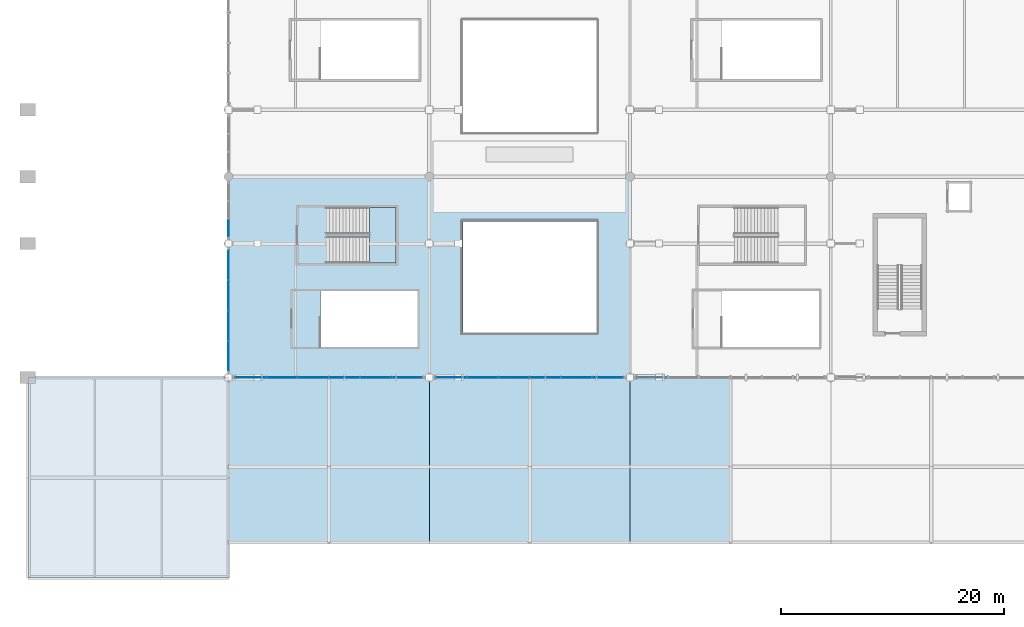
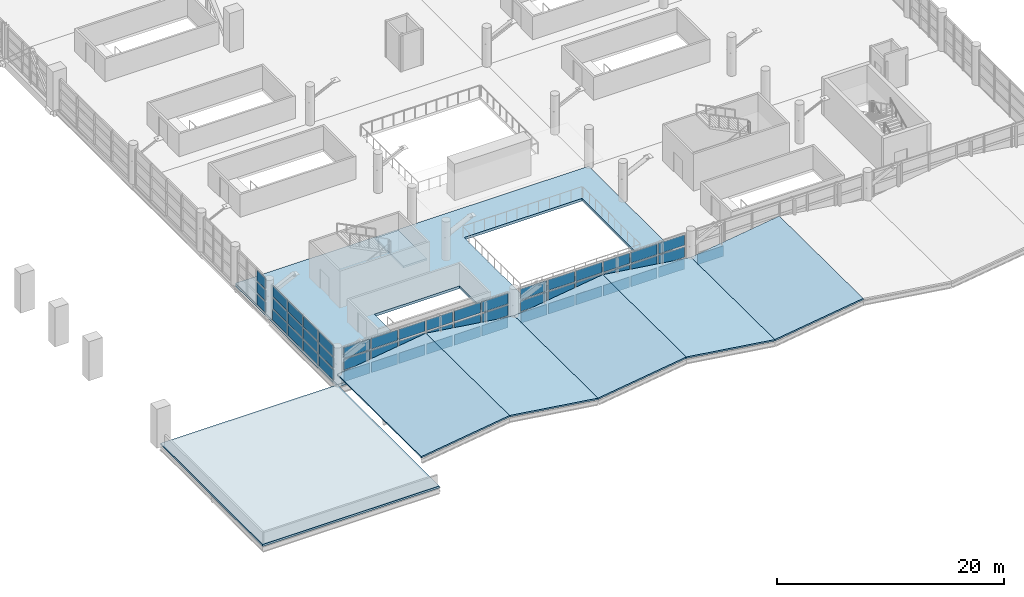
# One storey, part 97 of 136: 52 plates, 8 slabs, 6 elements without a shape of their own.
"""IFC4 building model written with IfcOpenShell, lengths in metres."""

import ifcopenshell
import ifcopenshell.guid

model = None  # the IFC model being written
_history = None  # IfcOwnerHistory: only IFC2X3 demands one
_inside = {}  # id of a spatial element -> (the spatial element, [elements in it])
_under = {}  # id of a project, library or spatial element -> (it, [spatial elements below it])
_declared = {}  # id of a project -> (the project, [libraries it declares])
_typed = {}  # id of a type object -> (the type object, [elements of that type])
_made_of = {}  # id of a material, layer set ... -> (it, [elements and type objects made of it])


def new_model(schema):
    """Start an empty IFC model of exactly this schema.

    Asked for "IFC4X3", IfcOpenShell would pick the latest addendum, in which some entities
    have other attributes; the version numbers below select the first issue.
    IFC2X3 requires an IfcOwnerHistory on every rooted entity: one is made here for all.
    """
    global model, _history
    if schema == "IFC4X3":
        model = ifcopenshell.file(schema_version=(4, 3, 0, 0))
    else:
        model = ifcopenshell.file(schema=schema)
    _inside.clear()
    _under.clear()
    _declared.clear()
    _typed.clear()
    _made_of.clear()
    _history = None
    if model.schema == "IFC2X3":
        org = make("IfcOrganization", Name="unknown")
        user = make(
            "IfcPersonAndOrganization",
            ThePerson=make("IfcPerson", FamilyName="unknown"),
            TheOrganization=org,
        )
        app = make(
            "IfcApplication",
            ApplicationDeveloper=org,
            Version="unknown",
            ApplicationFullName="unknown",
            ApplicationIdentifier="unknown",
        )
        _history = make(
            "IfcOwnerHistory",
            OwningUser=user,
            OwningApplication=app,
            ChangeAction="ADDED",
            CreationDate=0,
        )
    return model


def make(cls, **values):
    """One entity of the class cls with the attributes given. An attribute that is None is left unset."""
    return model.create_entity(
        cls, **{name: value for name, value in values.items() if value is not None}
    )


def rooted(cls, **values):
    """An entity with a GlobalId (a new one), such as an element, a storey or a relation."""
    return make(cls, GlobalId=ifcopenshell.guid.new(), OwnerHistory=_history, **values)


def si_unit(unit_type, name, prefix=None):
    """IfcSIUnit, for example si_unit("LENGTHUNIT", "METRE", prefix="MILLI")."""
    return make("IfcSIUnit", UnitType=unit_type, Prefix=prefix, Name=name)


def assignment(units):
    """IfcUnitAssignment: the units of a project."""
    return None if units is None else make("IfcUnitAssignment", Units=units)


def point(xyz):
    """IfcCartesianPoint."""
    return None if xyz is None else make("IfcCartesianPoint", Coordinates=xyz)


def direction(xyz):
    """IfcDirection."""
    return None if xyz is None else make("IfcDirection", DirectionRatios=xyz)


def frame(location, z_axis=None, x_axis=None):
    """IfcAxis2Placement3D, a coordinate frame: its origin and axes. An axis left out is left unset."""
    return make(
        "IfcAxis2Placement3D",
        Location=point(location),
        Axis=direction(z_axis),
        RefDirection=direction(x_axis),
    )


def frame_2d(location, x_axis=None):
    """IfcAxis2Placement2D, a coordinate frame in the plane: its origin and x axis."""
    return make(
        "IfcAxis2Placement2D", Location=point(location), RefDirection=direction(x_axis)
    )


def origin():
    """The frame at (0, 0, 0) with its axes left unset."""
    return frame((0.0, 0.0, 0.0))


def origin_2d():
    """The frame at (0, 0) in the plane with its x axis left unset."""
    return frame_2d((0.0, 0.0))


def place(relative_to, where):
    """IfcLocalPlacement: puts the frame where relative to a parent placement (None: the world)."""
    return make(
        "IfcLocalPlacement", PlacementRelTo=relative_to, RelativePlacement=where
    )


def context(
    kind, dimensions, precision=None, world=None, true_north=None, identifier=None
):
    """IfcGeometricRepresentationContext, for example the 3D "Model" context."""
    return make(
        "IfcGeometricRepresentationContext",
        ContextIdentifier=identifier,
        ContextType=kind,
        CoordinateSpaceDimension=dimensions,
        Precision=precision,
        WorldCoordinateSystem=world,
        TrueNorth=true_north,
    )


def subcontext(parent, identifier, kind, view, scale=None):
    """IfcGeometricRepresentationSubContext, for example "Body" below "Model"."""
    return make(
        "IfcGeometricRepresentationSubContext",
        ContextIdentifier=identifier,
        ContextType=kind,
        ParentContext=parent,
        TargetScale=scale,
        TargetView=view,
    )


def project(units=None, contexts=None):
    """IfcProject with its units and contexts."""
    return rooted(
        "IfcProject",
        Name="project",
        RepresentationContexts=contexts,
        UnitsInContext=assignment(units),
    )


def spatial(cls, under=None, at=None, **own):
    """A site, building, storey or space (cls), placed at a placement, below another one or the project."""
    s = rooted(cls, ObjectPlacement=at, **own)
    if under is not None:
        _under.setdefault(under.id(), (under, []))[1].append(s)
    return s


def polyline(points):
    """IfcPolyline through the points."""
    return make("IfcPolyline", Points=[point(p) for p in points])


def profile(cls, at=None, kind="AREA", **sizes):
    """A parametric profile (cls). Its sizes go by their IFC names, for example OverallWidth=200.0."""
    return make(cls, ProfileType=kind, Position=at, **sizes)


def rectangle(**sizes):
    """IfcRectangleProfileDef."""
    return profile("IfcRectangleProfileDef", **sizes)


def outline(outer, holes=None, kind="AREA"):
    """IfcArbitraryClosedProfileDef: a profile drawn as a closed curve; with holes, ...WithVoids."""
    if holes is None:
        return make("IfcArbitraryClosedProfileDef", ProfileType=kind, OuterCurve=outer)
    return make(
        "IfcArbitraryProfileDefWithVoids",
        ProfileType=kind,
        OuterCurve=outer,
        InnerCurves=holes,
    )


def extrude(swept, where, along, depth):
    """IfcExtrudedAreaSolid: the profile swept, set in the frame where, extruded along a direction by depth."""
    return make(
        "IfcExtrudedAreaSolid",
        SweptArea=swept,
        Position=where,
        ExtrudedDirection=direction(along),
        Depth=depth,
    )


def shape(context_of_items, identifier, shape_type, items):
    """IfcShapeRepresentation: the items that make up one representation, for example the "Body"."""
    return make(
        "IfcShapeRepresentation",
        ContextOfItems=context_of_items,
        RepresentationIdentifier=identifier,
        RepresentationType=shape_type,
        Items=items,
    )


def material(Name=None, Category=None):
    """IfcMaterial."""
    return make("IfcMaterial", Name=Name, Category=Category)


def layer(
    of_material, thickness, ventilated=None, Name=None, Category=None, Priority=None
):
    """IfcMaterialLayer: one layer of a wall or slab, of a material (None: an air gap)."""
    return make(
        "IfcMaterialLayer",
        Material=of_material,
        LayerThickness=thickness,
        IsVentilated=ventilated,
        Name=Name,
        Category=Category,
        Priority=Priority,
    )


def layer_set(layers, Name=None):
    """IfcMaterialLayerSet."""
    return make("IfcMaterialLayerSet", MaterialLayers=layers, LayerSetName=Name)


def made_of(thing, what):
    """Note that an element or type object is made of a material, layer set ...; save() writes the relation."""
    if what is not None:
        _made_of.setdefault(what.id(), (what, []))[1].append(thing)
    return thing


def type_object(cls, material=None, **own):
    """A type object (cls), such as IfcWallType, which elements share."""
    return made_of(rooted(cls, **own), material)


def element(
    cls,
    number,
    at=None,
    inside=None,
    cuts=None,
    type_object=None,
    material=None,
    context=None,
    identifier="Body",
    shape_type=None,
    held_by="IfcProductDefinitionShape",
    body=None,
    shapes=None,
    **own,
):
    """One element of the class cls, such as IfcWall. Its Tag is "e" and its number.

    at: its placement. inside: the storey or other place that contains it. cuts: it is an
    opening in that element (IfcRelVoidsElement). A single representation is given by context,
    identifier, shape_type and body (its items); several are given by shapes. held_by: the class
    of the entity that holds the representations. save() writes the other relations.
    """
    e = rooted(cls, Tag="e%d" % number, ObjectPlacement=at, **own)
    if body is not None:
        shapes = [shape(context, identifier, shape_type, body)]
    if shapes is not None:
        e.Representation = make(held_by, Representations=shapes)
    if inside is not None:
        _inside.setdefault(inside.id(), (inside, []))[1].append(e)
    if cuts is not None:
        rooted(
            "IfcRelVoidsElement", RelatingBuildingElement=cuts, RelatedOpeningElement=e
        )
    if type_object is not None:
        _typed.setdefault(type_object.id(), (type_object, []))[1].append(e)
    return made_of(e, material)


def aggregate(whole, parts):
    """IfcRelAggregates: a whole, such as a stair, and the parts it consists of."""
    return rooted("IfcRelAggregates", RelatingObject=whole, RelatedObjects=parts)


def save(model, path):
    """Write the relations noted so far, then the file.

    IfcRelAggregates (storeys below a building ...), IfcRelContainedInSpatialStructure (elements
    in a storey), IfcRelDefinesByType, IfcRelAssociatesMaterial and IfcRelDeclares: one each for
    every whole, place, type object, material and project.
    """
    for whole, parts in _under.values():
        aggregate(whole, parts)
    for where, things in _inside.values():
        rooted(
            "IfcRelContainedInSpatialStructure",
            RelatedElements=things,
            RelatingStructure=where,
        )
    for kind, things in _typed.values():
        rooted("IfcRelDefinesByType", RelatedObjects=things, RelatingType=kind)
    for what, things in _made_of.values():
        rooted("IfcRelAssociatesMaterial", RelatedObjects=things, RelatingMaterial=what)
    for by, libraries in _declared.values():
        rooted("IfcRelDeclares", RelatingContext=by, RelatedDefinitions=libraries)
    model.write(path)


model = new_model("IFC4")

# Units and contexts
model_context = context("Model", 3, precision=1e-05, world=origin(), true_north=direction((0.0, 1.0)))
body_context = subcontext(model_context, "Body", "Model", "MODEL_VIEW")
ifc_project = project(units=[si_unit("LENGTHUNIT", "METRE"), si_unit("AREAUNIT", "SQUARE_METRE"), si_unit("VOLUMEUNIT", "CUBIC_METRE"), si_unit("PLANEANGLEUNIT", "RADIAN"), si_unit("MASSUNIT", "GRAM", prefix="KILO")], contexts=[model_context])

# Site, building, storey
site_placement = place(None, origin())
site = spatial("IfcSite", under=ifc_project, at=site_placement, CompositionType="ELEMENT")
building_placement = place(site_placement, origin())
building = spatial("IfcBuilding", under=site, at=building_placement, Name="Chuanluo Vaults Station", CompositionType="ELEMENT")
storey_placement = place(building_placement, frame((0.0, 0.0, 6.60009765625)))
storey = spatial("IfcBuildingStorey", under=building, at=storey_placement, Name="L01", CompositionType="ELEMENT", Elevation=6.60009765625)

# Curtain wall, plates
ifc_material_1 = material(Name="Anodised aluminium 6063-T6", Category="aluminium")
curtain_wall_type_1 = type_object("IfcCurtainWallType", Name="CW-SYS-27", PredefinedType="NOTDEFINED", material=ifc_material_1)
curtain_wall_1_placement = place(storey_placement, origin())
curtain_wall_1 = element("IfcCurtainWall", 1, at=curtain_wall_1_placement, inside=storey, type_object=curtain_wall_type_1, Name="Concourse west curtain wall 18", PredefinedType="NOTDEFINED")
ifc_material_2 = material(Name="Ceramic-fritted spandrel glass", Category="glass")
ifc_layer_1 = layer(ifc_material_2, 0.06396484375)
ifc_layer_set_1 = layer_set([ifc_layer_1], Name="Ceramic-fritted spandrel glass")
plate_type_1 = type_object("IfcPlateType", Name="CWP-SPN-42", PredefinedType="SHEET", material=ifc_layer_set_1)
plate_1_placement = place(storey_placement, frame((18.0, 19.93115234375, 0.080078125), z_axis=(0.0, 0.0, 1.0), x_axis=(0.0, 1.0, 0.0)))
plate_1 = element("IfcPlate", 2, at=plate_1_placement, type_object=plate_type_1, Name="Concourse west curtain wall 18 glazed panel 1.1", PredefinedType="SHEET", context=body_context, shape_type="SweptSolid", body=[
    extrude(rectangle(XDim=2.552490234375, YDim=0.06396484375, at=origin_2d()), origin(), (0.0, 0.0, 1.0), 1.123291015625),
])
plate_2_placement = place(storey_placement, frame((18.0, 22.643798828125, 0.080078125), z_axis=(0.0, 0.0, 1.0), x_axis=(0.0, 1.0, 0.0)))
plate_2 = element("IfcPlate", 3, at=plate_2_placement, type_object=plate_type_1, Name="Concourse west curtain wall 18 glazed panel 2.1", PredefinedType="SHEET", context=body_context, shape_type="SweptSolid", body=[
    extrude(rectangle(XDim=2.552490234375, YDim=0.06396484375, at=origin_2d()), origin(), (0.0, 0.0, 1.0), 1.123291015625),
])
plate_3_placement = place(storey_placement, frame((18.0, 25.356201171875, 0.080078125), z_axis=(0.0, 0.0, 1.0), x_axis=(0.0, 1.0, 0.0)))
plate_3 = element("IfcPlate", 4, at=plate_3_placement, type_object=plate_type_1, Name="Concourse west curtain wall 18 glazed panel 3.1", PredefinedType="SHEET", context=body_context, shape_type="SweptSolid", body=[
    extrude(rectangle(XDim=2.552490234375, YDim=0.06396484375, at=origin_2d()), origin(), (0.0, 0.0, 1.0), 1.123291015625),
])
plate_4_placement = place(storey_placement, frame((18.0, 28.06884765625, 0.080078125), z_axis=(0.0, 0.0, 1.0), x_axis=(0.0, 1.0, 0.0)))
plate_4 = element("IfcPlate", 5, at=plate_4_placement, type_object=plate_type_1, Name="Concourse west curtain wall 18 glazed panel 4.1", PredefinedType="SHEET", context=body_context, shape_type="SweptSolid", body=[
    extrude(rectangle(XDim=2.552490234375, YDim=0.06396484375, at=origin_2d()), origin(), (0.0, 0.0, 1.0), 1.123291015625),
])

# Curtain wall, plate
ifc_material_3 = material(Name="Anodised aluminium 6063-T6", Category="aluminium")
curtain_wall_type_2 = type_object("IfcCurtainWallType", Name="CW-SYS-03", PredefinedType="NOTDEFINED", material=ifc_material_3)
curtain_wall_2_placement = place(storey_placement, origin())
curtain_wall_2 = element("IfcCurtainWall", 6, at=curtain_wall_2_placement, inside=storey, type_object=curtain_wall_type_2, Name="Concourse west curtain wall 30 part 1", PredefinedType="NOTDEFINED")
plate_5_placement = place(storey_placement, frame((18.0, 31.38330078125, 0.080078125), z_axis=(0.0, 0.0, 1.0), x_axis=(0.0, 1.0, 0.0)))
plate_5 = element("IfcPlate", 7, at=plate_5_placement, type_object=plate_type_1, Name="Concourse west curtain wall 30 part 1 glazed panel 1.1", PredefinedType="SHEET", context=body_context, shape_type="SweptSolid", body=[
    extrude(rectangle(XDim=1.456787109375, YDim=0.06396484375, at=origin_2d()), origin(), (0.0, 0.0, 1.0), 1.123291015625),
])

# Curtain wall, plates
ifc_material_4 = material(Name="Anodised aluminium 6063-T6", Category="aluminium")
curtain_wall_type_3 = type_object("IfcCurtainWallType", Name="CW-SYS-06", PredefinedType="NOTDEFINED", material=ifc_material_4)
curtain_wall_3_placement = place(storey_placement, origin())
curtain_wall_3 = element("IfcCurtainWall", 8, at=curtain_wall_3_placement, inside=storey, type_object=curtain_wall_type_3, Name="Concourse V2 south facade CW", PredefinedType="NOTDEFINED")
ifc_material_5 = material(Name="Ceramic-fritted spandrel glass", Category="glass")
ifc_layer_2 = layer(ifc_material_5, 0.070068359375)
ifc_layer_set_2 = layer_set([ifc_layer_2], Name="Ceramic-fritted spandrel glass")
plate_type_2 = type_object("IfcPlateType", Name="CWP-SPN-50", PredefinedType="SHEET", material=ifc_layer_set_2)
plate_6_placement = place(storey_placement, frame((34.020751953125, 18.0, 0.080078125), z_axis=(0.0, 0.0, 1.0), x_axis=(-1.0, 0.0, 0.0)))
plate_6 = element("IfcPlate", 9, at=plate_6_placement, type_object=plate_type_2, Name="Concourse V2 south facade CW glazed panel 1.1", PredefinedType="SHEET", context=body_context, shape_type="SweptSolid", body=[
    extrude(rectangle(XDim=2.648193359375, YDim=0.070068359375, at=origin_2d()), origin(), (0.0, 0.0, 1.0), 1.123291015625),
])
plate_7_placement = place(storey_placement, frame((31.21240234375, 18.0, 0.080078125), z_axis=(0.0, 0.0, 1.0), x_axis=(-1.0, 0.0, 0.0)))
plate_7 = element("IfcPlate", 10, at=plate_7_placement, type_object=plate_type_2, Name="Concourse V2 south facade CW glazed panel 2.1", PredefinedType="SHEET", context=body_context, shape_type="SweptSolid", body=[
    extrude(rectangle(XDim=2.648193359375, YDim=0.070068359375, at=origin_2d()), origin(), (0.0, 0.0, 1.0), 1.123291015625),
])
plate_8_placement = place(storey_placement, frame((28.404296875, 18.0, 0.080078125), z_axis=(0.0, 0.0, 1.0), x_axis=(-1.0, 0.0, 0.0)))
plate_8 = element("IfcPlate", 11, at=plate_8_placement, type_object=plate_type_2, Name="Concourse V2 south facade CW glazed panel 3.1", PredefinedType="SHEET", context=body_context, shape_type="SweptSolid", body=[
    extrude(rectangle(XDim=2.648193359375, YDim=0.070068359375, at=origin_2d()), origin(), (0.0, 0.0, 1.0), 1.123291015625),
])
plate_9_placement = place(storey_placement, frame((25.595703125, 18.0, 0.080078125), z_axis=(0.0, 0.0, 1.0), x_axis=(-1.0, 0.0, 0.0)))
plate_9 = element("IfcPlate", 12, at=plate_9_placement, type_object=plate_type_2, Name="Concourse V2 south facade CW glazed panel 4.1", PredefinedType="SHEET", context=body_context, shape_type="SweptSolid", body=[
    extrude(rectangle(XDim=2.648193359375, YDim=0.070068359375, at=origin_2d()), origin(), (0.0, 0.0, 1.0), 1.123291015625),
])
plate_10_placement = place(storey_placement, frame((22.78759765625, 18.0, 0.080078125), z_axis=(0.0, 0.0, 1.0), x_axis=(-1.0, 0.0, 0.0)))
plate_10 = element("IfcPlate", 13, at=plate_10_placement, type_object=plate_type_2, Name="Concourse V2 south facade CW glazed panel 5.1", PredefinedType="SHEET", context=body_context, shape_type="SweptSolid", body=[
    extrude(rectangle(XDim=2.648193359375, YDim=0.070068359375, at=origin_2d()), origin(), (0.0, 0.0, 1.0), 1.123291015625),
])
plate_11_placement = place(storey_placement, frame((19.97900390625, 18.0, 0.080078125), z_axis=(0.0, 0.0, 1.0), x_axis=(-1.0, 0.0, 0.0)))
plate_11 = element("IfcPlate", 14, at=plate_11_placement, type_object=plate_type_2, Name="Concourse V2 south facade CW glazed panel 6.1", PredefinedType="SHEET", context=body_context, shape_type="SweptSolid", body=[
    extrude(rectangle(XDim=2.648193359375, YDim=0.070068359375, at=origin_2d()), origin(), (0.0, 0.0, 1.0), 1.123291015625),
])

ifc_material_6 = material(Name="Anodised aluminium 6063-T6", Category="aluminium")
curtain_wall_type_4 = type_object("IfcCurtainWallType", Name="CW-SYS-10", PredefinedType="NOTDEFINED", material=ifc_material_6)
curtain_wall_4_placement = place(storey_placement, origin())
curtain_wall_4 = element("IfcCurtainWall", 15, at=curtain_wall_4_placement, inside=storey, type_object=curtain_wall_type_4, Name="Concourse V3 south facade CW", PredefinedType="NOTDEFINED")
plate_12_placement = place(storey_placement, frame((52.020751953125, 18.0, 0.080078125), z_axis=(0.0, 0.0, 1.0), x_axis=(-1.0, 0.0, 0.0)))
plate_12 = element("IfcPlate", 16, at=plate_12_placement, type_object=plate_type_2, Name="Concourse V3 south facade CW glazed panel 1.1", PredefinedType="SHEET", context=body_context, shape_type="SweptSolid", body=[
    extrude(rectangle(XDim=2.648193359375, YDim=0.070068359375, at=origin_2d()), origin(), (0.0, 0.0, 1.0), 1.123291015625),
])
plate_13_placement = place(storey_placement, frame((49.21240234375, 18.0, 0.080078125), z_axis=(0.0, 0.0, 1.0), x_axis=(-1.0, 0.0, 0.0)))
plate_13 = element("IfcPlate", 17, at=plate_13_placement, type_object=plate_type_2, Name="Concourse V3 south facade CW glazed panel 2.1", PredefinedType="SHEET", context=body_context, shape_type="SweptSolid", body=[
    extrude(rectangle(XDim=2.648193359375, YDim=0.070068359375, at=origin_2d()), origin(), (0.0, 0.0, 1.0), 1.123291015625),
])
plate_14_placement = place(storey_placement, frame((46.404296875, 18.0, 0.080078125), z_axis=(0.0, 0.0, 1.0), x_axis=(-1.0, 0.0, 0.0)))
plate_14 = element("IfcPlate", 18, at=plate_14_placement, type_object=plate_type_2, Name="Concourse V3 south facade CW glazed panel 3.1", PredefinedType="SHEET", context=body_context, shape_type="SweptSolid", body=[
    extrude(rectangle(XDim=2.648193359375, YDim=0.070068359375, at=origin_2d()), origin(), (0.0, 0.0, 1.0), 1.123291015625),
])
plate_15_placement = place(storey_placement, frame((43.595703125, 18.0, 0.080078125), z_axis=(0.0, 0.0, 1.0), x_axis=(-1.0, 0.0, 0.0)))
plate_15 = element("IfcPlate", 19, at=plate_15_placement, type_object=plate_type_2, Name="Concourse V3 south facade CW glazed panel 4.1", PredefinedType="SHEET", context=body_context, shape_type="SweptSolid", body=[
    extrude(rectangle(XDim=2.648193359375, YDim=0.070068359375, at=origin_2d()), origin(), (0.0, 0.0, 1.0), 1.123291015625),
])
plate_16_placement = place(storey_placement, frame((40.78759765625, 18.0, 0.080078125), z_axis=(0.0, 0.0, 1.0), x_axis=(-1.0, 0.0, 0.0)))
plate_16 = element("IfcPlate", 20, at=plate_16_placement, type_object=plate_type_2, Name="Concourse V3 south facade CW glazed panel 5.1", PredefinedType="SHEET", context=body_context, shape_type="SweptSolid", body=[
    extrude(rectangle(XDim=2.648193359375, YDim=0.070068359375, at=origin_2d()), origin(), (0.0, 0.0, 1.0), 1.123291015625),
])
plate_17_placement = place(storey_placement, frame((37.979248046875, 18.0, 0.080078125), z_axis=(0.0, 0.0, 1.0), x_axis=(-1.0, 0.0, 0.0)))
plate_17 = element("IfcPlate", 21, at=plate_17_placement, type_object=plate_type_2, Name="Concourse V3 south facade CW glazed panel 6.1", PredefinedType="SHEET", context=body_context, shape_type="SweptSolid", body=[
    extrude(rectangle(XDim=2.648193359375, YDim=0.070068359375, at=origin_2d()), origin(), (0.0, 0.0, 1.0), 1.123291015625),
])

# Curtain wall, plate
ifc_material_7 = material(Name="Anodised aluminium 6063-T6", Category="aluminium")
curtain_wall_type_5 = type_object("IfcCurtainWallType", Name="CW-SYS-14", PredefinedType="NOTDEFINED", material=ifc_material_7)
curtain_wall_5_placement = place(storey_placement, origin())
curtain_wall_5 = element("IfcCurtainWall", 22, at=curtain_wall_5_placement, inside=storey, type_object=curtain_wall_type_5, Name="Concourse V4 south facade CW", PredefinedType="NOTDEFINED")
plate_18_placement = place(storey_placement, frame((55.979248046875, 18.0, 0.080078125), z_axis=(0.0, 0.0, 1.0), x_axis=(-1.0, 0.0, 0.0)))
plate_18 = element("IfcPlate", 23, at=plate_18_placement, type_object=plate_type_2, Name="Concourse V4 south facade CW glazed panel 6.1", PredefinedType="SHEET", context=body_context, shape_type="SweptSolid", body=[
    extrude(rectangle(XDim=2.648193359375, YDim=0.070068359375, at=origin_2d()), origin(), (0.0, 0.0, 1.0), 1.123291015625),
])
aggregate(curtain_wall_5, [plate_18])

# Plate
ifc_material_8 = material(Name="Double-silver Low-E laminated glass", Category="glass")
ifc_layer_3 = layer(ifc_material_8, 0.048095703125)
ifc_layer_set_3 = layer_set([ifc_layer_3], Name="Double-silver Low-E laminated glass")
plate_type_3 = type_object("IfcPlateType", Name="CWP-VIS-32", PredefinedType="CURTAIN_PANEL", material=ifc_layer_set_3)
plate_19_placement = place(storey_placement, frame((18.0, 19.93115234375, 1.36328125), z_axis=(0.0, 0.0, 1.0), x_axis=(0.0, 1.0, 0.0)))
plate_19 = element("IfcPlate", 24, at=plate_19_placement, type_object=plate_type_3, Name="Concourse west curtain wall 18 glazed panel 1.2", PredefinedType="CURTAIN_PANEL", context=body_context, shape_type="SweptSolid", body=[
    extrude(rectangle(XDim=2.552490234375, YDim=0.048095703125, at=origin_2d()), origin(), (0.0, 0.0, 1.0), 1.123291015625),
])

plate_20_placement = place(storey_placement, frame((18.0, 19.93115234375, 2.646484375), z_axis=(0.0, 0.0, 1.0), x_axis=(0.0, 1.0, 0.0)))
plate_20 = element("IfcPlate", 25, at=plate_20_placement, type_object=plate_type_3, Name="Concourse west curtain wall 18 glazed panel 1.3", PredefinedType="CURTAIN_PANEL", context=body_context, shape_type="SweptSolid", body=[
    extrude(rectangle(XDim=2.552490234375, YDim=0.048095703125, at=origin_2d()), origin(), (0.0, 0.0, 1.0), 1.123291015625),
])

plate_21_placement = place(storey_placement, frame((18.0, 22.643798828125, 1.36328125), z_axis=(0.0, 0.0, 1.0), x_axis=(0.0, 1.0, 0.0)))
plate_21 = element("IfcPlate", 26, at=plate_21_placement, type_object=plate_type_3, Name="Concourse west curtain wall 18 glazed panel 2.2", PredefinedType="CURTAIN_PANEL", context=body_context, shape_type="SweptSolid", body=[
    extrude(rectangle(XDim=2.552490234375, YDim=0.048095703125, at=origin_2d()), origin(), (0.0, 0.0, 1.0), 1.123291015625),
])

plate_22_placement = place(storey_placement, frame((18.0, 22.643798828125, 2.646484375), z_axis=(0.0, 0.0, 1.0), x_axis=(0.0, 1.0, 0.0)))
plate_22 = element("IfcPlate", 27, at=plate_22_placement, type_object=plate_type_3, Name="Concourse west curtain wall 18 glazed panel 2.3", PredefinedType="CURTAIN_PANEL", context=body_context, shape_type="SweptSolid", body=[
    extrude(rectangle(XDim=2.552490234375, YDim=0.048095703125, at=origin_2d()), origin(), (0.0, 0.0, 1.0), 1.123291015625),
])

plate_23_placement = place(storey_placement, frame((18.0, 25.356201171875, 1.36328125), z_axis=(0.0, 0.0, 1.0), x_axis=(0.0, 1.0, 0.0)))
plate_23 = element("IfcPlate", 28, at=plate_23_placement, type_object=plate_type_3, Name="Concourse west curtain wall 18 glazed panel 3.2", PredefinedType="CURTAIN_PANEL", context=body_context, shape_type="SweptSolid", body=[
    extrude(rectangle(XDim=2.552490234375, YDim=0.048095703125, at=origin_2d()), origin(), (0.0, 0.0, 1.0), 1.123291015625),
])

plate_24_placement = place(storey_placement, frame((18.0, 25.356201171875, 2.646484375), z_axis=(0.0, 0.0, 1.0), x_axis=(0.0, 1.0, 0.0)))
plate_24 = element("IfcPlate", 29, at=plate_24_placement, type_object=plate_type_3, Name="Concourse west curtain wall 18 glazed panel 3.3", PredefinedType="CURTAIN_PANEL", context=body_context, shape_type="SweptSolid", body=[
    extrude(rectangle(XDim=2.552490234375, YDim=0.048095703125, at=origin_2d()), origin(), (0.0, 0.0, 1.0), 1.123291015625),
])

plate_25_placement = place(storey_placement, frame((18.0, 28.06884765625, 1.36328125), z_axis=(0.0, 0.0, 1.0), x_axis=(0.0, 1.0, 0.0)))
plate_25 = element("IfcPlate", 30, at=plate_25_placement, type_object=plate_type_3, Name="Concourse west curtain wall 18 glazed panel 4.2", PredefinedType="CURTAIN_PANEL", context=body_context, shape_type="SweptSolid", body=[
    extrude(rectangle(XDim=2.552490234375, YDim=0.048095703125, at=origin_2d()), origin(), (0.0, 0.0, 1.0), 1.123291015625),
])

plate_26_placement = place(storey_placement, frame((18.0, 28.06884765625, 2.646484375), z_axis=(0.0, 0.0, 1.0), x_axis=(0.0, 1.0, 0.0)))
plate_26 = element("IfcPlate", 31, at=plate_26_placement, type_object=plate_type_3, Name="Concourse west curtain wall 18 glazed panel 4.3", PredefinedType="CURTAIN_PANEL", context=body_context, shape_type="SweptSolid", body=[
    extrude(rectangle(XDim=2.552490234375, YDim=0.048095703125, at=origin_2d()), origin(), (0.0, 0.0, 1.0), 1.123291015625),
])

aggregate(curtain_wall_1, [plate_1, plate_19, plate_20, plate_2, plate_21, plate_22, plate_3, plate_23, plate_24, plate_4, plate_25, plate_26])

plate_27_placement = place(storey_placement, frame((18.0, 31.38330078125, 1.36328125), z_axis=(0.0, 0.0, 1.0), x_axis=(0.0, 1.0, 0.0)))
plate_27 = element("IfcPlate", 32, at=plate_27_placement, type_object=plate_type_3, Name="Concourse west curtain wall 30 part 1 glazed panel 1.2", PredefinedType="CURTAIN_PANEL", context=body_context, shape_type="SweptSolid", body=[
    extrude(rectangle(XDim=1.456787109375, YDim=0.048095703125, at=origin_2d()), origin(), (0.0, 0.0, 1.0), 1.123291015625),
])

plate_28_placement = place(storey_placement, frame((18.0, 31.38330078125, 2.646484375), z_axis=(0.0, 0.0, 1.0), x_axis=(0.0, 1.0, 0.0)))
plate_28 = element("IfcPlate", 33, at=plate_28_placement, type_object=plate_type_3, Name="Concourse west curtain wall 30 part 1 glazed panel 1.3", PredefinedType="CURTAIN_PANEL", context=body_context, shape_type="SweptSolid", body=[
    extrude(rectangle(XDim=1.456787109375, YDim=0.048095703125, at=origin_2d()), origin(), (0.0, 0.0, 1.0), 1.123291015625),
])

aggregate(curtain_wall_2, [plate_5, plate_27, plate_28])

ifc_material_9 = material(Name="Double-silver Low-E laminated glass", Category="glass")
ifc_layer_4 = layer(ifc_material_9, 0.053955078125)
ifc_layer_set_4 = layer_set([ifc_layer_4], Name="Double-silver Low-E laminated glass")
plate_type_4 = type_object("IfcPlateType", Name="CWP-VIS-36", PredefinedType="CURTAIN_PANEL", material=ifc_layer_set_4)
plate_29_placement = place(storey_placement, frame((34.020751953125, 18.0, 1.36328125), z_axis=(0.0, 0.0, 1.0), x_axis=(-1.0, 0.0, 0.0)))
plate_29 = element("IfcPlate", 34, at=plate_29_placement, type_object=plate_type_4, Name="Concourse V2 south facade CW glazed panel 1.2", PredefinedType="CURTAIN_PANEL", context=body_context, shape_type="SweptSolid", body=[
    extrude(rectangle(XDim=2.648193359375, YDim=0.053955078125, at=origin_2d()), origin(), (0.0, 0.0, 1.0), 1.123291015625),
])

plate_30_placement = place(storey_placement, frame((34.020751953125, 18.0, 2.646484375), z_axis=(0.0, 0.0, 1.0), x_axis=(-1.0, 0.0, 0.0)))
plate_30 = element("IfcPlate", 35, at=plate_30_placement, type_object=plate_type_4, Name="Concourse V2 south facade CW glazed panel 1.3", PredefinedType="CURTAIN_PANEL", context=body_context, shape_type="SweptSolid", body=[
    extrude(rectangle(XDim=2.648193359375, YDim=0.053955078125, at=origin_2d()), origin(), (0.0, 0.0, 1.0), 1.123291015625),
])

plate_31_placement = place(storey_placement, frame((31.21240234375, 18.0, 1.36328125), z_axis=(0.0, 0.0, 1.0), x_axis=(-1.0, 0.0, 0.0)))
plate_31 = element("IfcPlate", 36, at=plate_31_placement, type_object=plate_type_4, Name="Concourse V2 south facade CW glazed panel 2.2", PredefinedType="CURTAIN_PANEL", context=body_context, shape_type="SweptSolid", body=[
    extrude(rectangle(XDim=2.648193359375, YDim=0.053955078125, at=origin_2d()), origin(), (0.0, 0.0, 1.0), 1.123291015625),
])

plate_32_placement = place(storey_placement, frame((31.21240234375, 18.0, 2.646484375), z_axis=(0.0, 0.0, 1.0), x_axis=(-1.0, 0.0, 0.0)))
plate_32 = element("IfcPlate", 37, at=plate_32_placement, type_object=plate_type_4, Name="Concourse V2 south facade CW glazed panel 2.3", PredefinedType="CURTAIN_PANEL", context=body_context, shape_type="SweptSolid", body=[
    extrude(rectangle(XDim=2.648193359375, YDim=0.053955078125, at=origin_2d()), origin(), (0.0, 0.0, 1.0), 1.123291015625),
])

plate_33_placement = place(storey_placement, frame((28.404296875, 18.0, 1.36328125), z_axis=(0.0, 0.0, 1.0), x_axis=(-1.0, 0.0, 0.0)))
plate_33 = element("IfcPlate", 38, at=plate_33_placement, type_object=plate_type_4, Name="Concourse V2 south facade CW glazed panel 3.2", PredefinedType="CURTAIN_PANEL", context=body_context, shape_type="SweptSolid", body=[
    extrude(rectangle(XDim=2.648193359375, YDim=0.053955078125, at=origin_2d()), origin(), (0.0, 0.0, 1.0), 1.123291015625),
])

plate_34_placement = place(storey_placement, frame((28.404296875, 18.0, 2.646484375), z_axis=(0.0, 0.0, 1.0), x_axis=(-1.0, 0.0, 0.0)))
plate_34 = element("IfcPlate", 39, at=plate_34_placement, type_object=plate_type_4, Name="Concourse V2 south facade CW glazed panel 3.3", PredefinedType="CURTAIN_PANEL", context=body_context, shape_type="SweptSolid", body=[
    extrude(rectangle(XDim=2.648193359375, YDim=0.053955078125, at=origin_2d()), origin(), (0.0, 0.0, 1.0), 1.123291015625),
])

plate_35_placement = place(storey_placement, frame((25.595703125, 18.0, 1.36328125), z_axis=(0.0, 0.0, 1.0), x_axis=(-1.0, 0.0, 0.0)))
plate_35 = element("IfcPlate", 40, at=plate_35_placement, type_object=plate_type_4, Name="Concourse V2 south facade CW glazed panel 4.2", PredefinedType="CURTAIN_PANEL", context=body_context, shape_type="SweptSolid", body=[
    extrude(rectangle(XDim=2.648193359375, YDim=0.053955078125, at=origin_2d()), origin(), (0.0, 0.0, 1.0), 1.123291015625),
])

plate_36_placement = place(storey_placement, frame((25.595703125, 18.0, 2.646484375), z_axis=(0.0, 0.0, 1.0), x_axis=(-1.0, 0.0, 0.0)))
plate_36 = element("IfcPlate", 41, at=plate_36_placement, type_object=plate_type_4, Name="Concourse V2 south facade CW glazed panel 4.3", PredefinedType="CURTAIN_PANEL", context=body_context, shape_type="SweptSolid", body=[
    extrude(rectangle(XDim=2.648193359375, YDim=0.053955078125, at=origin_2d()), origin(), (0.0, 0.0, 1.0), 1.123291015625),
])

plate_37_placement = place(storey_placement, frame((22.78759765625, 18.0, 1.36328125), z_axis=(0.0, 0.0, 1.0), x_axis=(-1.0, 0.0, 0.0)))
plate_37 = element("IfcPlate", 42, at=plate_37_placement, type_object=plate_type_4, Name="Concourse V2 south facade CW glazed panel 5.2", PredefinedType="CURTAIN_PANEL", context=body_context, shape_type="SweptSolid", body=[
    extrude(rectangle(XDim=2.648193359375, YDim=0.053955078125, at=origin_2d()), origin(), (0.0, 0.0, 1.0), 1.123291015625),
])

plate_38_placement = place(storey_placement, frame((22.78759765625, 18.0, 2.646484375), z_axis=(0.0, 0.0, 1.0), x_axis=(-1.0, 0.0, 0.0)))
plate_38 = element("IfcPlate", 43, at=plate_38_placement, type_object=plate_type_4, Name="Concourse V2 south facade CW glazed panel 5.3", PredefinedType="CURTAIN_PANEL", context=body_context, shape_type="SweptSolid", body=[
    extrude(rectangle(XDim=2.648193359375, YDim=0.053955078125, at=origin_2d()), origin(), (0.0, 0.0, 1.0), 1.123291015625),
])

plate_39_placement = place(storey_placement, frame((19.97900390625, 18.0, 1.36328125), z_axis=(0.0, 0.0, 1.0), x_axis=(-1.0, 0.0, 0.0)))
plate_39 = element("IfcPlate", 44, at=plate_39_placement, type_object=plate_type_4, Name="Concourse V2 south facade CW glazed panel 6.2", PredefinedType="CURTAIN_PANEL", context=body_context, shape_type="SweptSolid", body=[
    extrude(rectangle(XDim=2.648193359375, YDim=0.053955078125, at=origin_2d()), origin(), (0.0, 0.0, 1.0), 1.123291015625),
])

plate_40_placement = place(storey_placement, frame((19.97900390625, 18.0, 2.646484375), z_axis=(0.0, 0.0, 1.0), x_axis=(-1.0, 0.0, 0.0)))
plate_40 = element("IfcPlate", 45, at=plate_40_placement, type_object=plate_type_4, Name="Concourse V2 south facade CW glazed panel 6.3", PredefinedType="CURTAIN_PANEL", context=body_context, shape_type="SweptSolid", body=[
    extrude(rectangle(XDim=2.648193359375, YDim=0.053955078125, at=origin_2d()), origin(), (0.0, 0.0, 1.0), 1.123291015625),
])

aggregate(curtain_wall_3, [plate_6, plate_29, plate_30, plate_7, plate_31, plate_32, plate_8, plate_33, plate_34, plate_9, plate_35, plate_36, plate_10, plate_37, plate_38, plate_11, plate_39, plate_40])

plate_41_placement = place(storey_placement, frame((52.020751953125, 18.0, 1.36328125), z_axis=(0.0, 0.0, 1.0), x_axis=(-1.0, 0.0, 0.0)))
plate_41 = element("IfcPlate", 46, at=plate_41_placement, type_object=plate_type_4, Name="Concourse V3 south facade CW glazed panel 1.2", PredefinedType="CURTAIN_PANEL", context=body_context, shape_type="SweptSolid", body=[
    extrude(rectangle(XDim=2.648193359375, YDim=0.053955078125, at=origin_2d()), origin(), (0.0, 0.0, 1.0), 1.123291015625),
])

plate_42_placement = place(storey_placement, frame((52.020751953125, 18.0, 2.646484375), z_axis=(0.0, 0.0, 1.0), x_axis=(-1.0, 0.0, 0.0)))
plate_42 = element("IfcPlate", 47, at=plate_42_placement, type_object=plate_type_4, Name="Concourse V3 south facade CW glazed panel 1.3", PredefinedType="CURTAIN_PANEL", context=body_context, shape_type="SweptSolid", body=[
    extrude(rectangle(XDim=2.648193359375, YDim=0.053955078125, at=origin_2d()), origin(), (0.0, 0.0, 1.0), 1.123291015625),
])

plate_43_placement = place(storey_placement, frame((49.21240234375, 18.0, 1.36328125), z_axis=(0.0, 0.0, 1.0), x_axis=(-1.0, 0.0, 0.0)))
plate_43 = element("IfcPlate", 48, at=plate_43_placement, type_object=plate_type_4, Name="Concourse V3 south facade CW glazed panel 2.2", PredefinedType="CURTAIN_PANEL", context=body_context, shape_type="SweptSolid", body=[
    extrude(rectangle(XDim=2.648193359375, YDim=0.053955078125, at=origin_2d()), origin(), (0.0, 0.0, 1.0), 1.123291015625),
])

plate_44_placement = place(storey_placement, frame((49.21240234375, 18.0, 2.646484375), z_axis=(0.0, 0.0, 1.0), x_axis=(-1.0, 0.0, 0.0)))
plate_44 = element("IfcPlate", 49, at=plate_44_placement, type_object=plate_type_4, Name="Concourse V3 south facade CW glazed panel 2.3", PredefinedType="CURTAIN_PANEL", context=body_context, shape_type="SweptSolid", body=[
    extrude(rectangle(XDim=2.648193359375, YDim=0.053955078125, at=origin_2d()), origin(), (0.0, 0.0, 1.0), 1.123291015625),
])

plate_45_placement = place(storey_placement, frame((46.404296875, 18.0, 1.36328125), z_axis=(0.0, 0.0, 1.0), x_axis=(-1.0, 0.0, 0.0)))
plate_45 = element("IfcPlate", 50, at=plate_45_placement, type_object=plate_type_4, Name="Concourse V3 south facade CW glazed panel 3.2", PredefinedType="CURTAIN_PANEL", context=body_context, shape_type="SweptSolid", body=[
    extrude(rectangle(XDim=2.648193359375, YDim=0.053955078125, at=origin_2d()), origin(), (0.0, 0.0, 1.0), 1.123291015625),
])

plate_46_placement = place(storey_placement, frame((46.404296875, 18.0, 2.646484375), z_axis=(0.0, 0.0, 1.0), x_axis=(-1.0, 0.0, 0.0)))
plate_46 = element("IfcPlate", 51, at=plate_46_placement, type_object=plate_type_4, Name="Concourse V3 south facade CW glazed panel 3.3", PredefinedType="CURTAIN_PANEL", context=body_context, shape_type="SweptSolid", body=[
    extrude(rectangle(XDim=2.648193359375, YDim=0.053955078125, at=origin_2d()), origin(), (0.0, 0.0, 1.0), 1.123291015625),
])

plate_47_placement = place(storey_placement, frame((43.595703125, 18.0, 1.36328125), z_axis=(0.0, 0.0, 1.0), x_axis=(-1.0, 0.0, 0.0)))
plate_47 = element("IfcPlate", 52, at=plate_47_placement, type_object=plate_type_4, Name="Concourse V3 south facade CW glazed panel 4.2", PredefinedType="CURTAIN_PANEL", context=body_context, shape_type="SweptSolid", body=[
    extrude(rectangle(XDim=2.648193359375, YDim=0.053955078125, at=origin_2d()), origin(), (0.0, 0.0, 1.0), 1.123291015625),
])

plate_48_placement = place(storey_placement, frame((43.595703125, 18.0, 2.646484375), z_axis=(0.0, 0.0, 1.0), x_axis=(-1.0, 0.0, 0.0)))
plate_48 = element("IfcPlate", 53, at=plate_48_placement, type_object=plate_type_4, Name="Concourse V3 south facade CW glazed panel 4.3", PredefinedType="CURTAIN_PANEL", context=body_context, shape_type="SweptSolid", body=[
    extrude(rectangle(XDim=2.648193359375, YDim=0.053955078125, at=origin_2d()), origin(), (0.0, 0.0, 1.0), 1.123291015625),
])

plate_49_placement = place(storey_placement, frame((40.78759765625, 18.0, 1.36328125), z_axis=(0.0, 0.0, 1.0), x_axis=(-1.0, 0.0, 0.0)))
plate_49 = element("IfcPlate", 54, at=plate_49_placement, type_object=plate_type_4, Name="Concourse V3 south facade CW glazed panel 5.2", PredefinedType="CURTAIN_PANEL", context=body_context, shape_type="SweptSolid", body=[
    extrude(rectangle(XDim=2.648193359375, YDim=0.053955078125, at=origin_2d()), origin(), (0.0, 0.0, 1.0), 1.123291015625),
])

plate_50_placement = place(storey_placement, frame((40.78759765625, 18.0, 2.646484375), z_axis=(0.0, 0.0, 1.0), x_axis=(-1.0, 0.0, 0.0)))
plate_50 = element("IfcPlate", 55, at=plate_50_placement, type_object=plate_type_4, Name="Concourse V3 south facade CW glazed panel 5.3", PredefinedType="CURTAIN_PANEL", context=body_context, shape_type="SweptSolid", body=[
    extrude(rectangle(XDim=2.648193359375, YDim=0.053955078125, at=origin_2d()), origin(), (0.0, 0.0, 1.0), 1.123291015625),
])

plate_51_placement = place(storey_placement, frame((37.979248046875, 18.0, 1.36328125), z_axis=(0.0, 0.0, 1.0), x_axis=(-1.0, 0.0, 0.0)))
plate_51 = element("IfcPlate", 56, at=plate_51_placement, type_object=plate_type_4, Name="Concourse V3 south facade CW glazed panel 6.2", PredefinedType="CURTAIN_PANEL", context=body_context, shape_type="SweptSolid", body=[
    extrude(rectangle(XDim=2.648193359375, YDim=0.053955078125, at=origin_2d()), origin(), (0.0, 0.0, 1.0), 1.123291015625),
])

plate_52_placement = place(storey_placement, frame((37.979248046875, 18.0, 2.646484375), z_axis=(0.0, 0.0, 1.0), x_axis=(-1.0, 0.0, 0.0)))
plate_52 = element("IfcPlate", 57, at=plate_52_placement, type_object=plate_type_4, Name="Concourse V3 south facade CW glazed panel 6.3", PredefinedType="CURTAIN_PANEL", context=body_context, shape_type="SweptSolid", body=[
    extrude(rectangle(XDim=2.648193359375, YDim=0.053955078125, at=origin_2d()), origin(), (0.0, 0.0, 1.0), 1.123291015625),
])

aggregate(curtain_wall_4, [plate_12, plate_41, plate_42, plate_13, plate_43, plate_44, plate_14, plate_45, plate_46, plate_15, plate_47, plate_48, plate_16, plate_49, plate_50, plate_17, plate_51, plate_52])

# Slabs
ifc_material_10 = material(Name="Concrete C50", Category="concrete")
ifc_layer_5 = layer(ifc_material_10, 0.159912109375)
ifc_layer_set_5 = layer_set([ifc_layer_5], Name="Concrete C50")
slab_type_1 = type_object("IfcSlabType", Name="SLB-CAN-160", PredefinedType="ROOF", material=ifc_layer_set_5)
slab_1_placement = place(storey_placement, frame((18.0, 3.199951171875, 1.219970703125), z_axis=(-0.140805308005, 0.006695798676, 0.990014662274), x_axis=(0.99003685604, 0.0, 0.140808464524)))
element("IfcSlab", 58, at=slab_1_placement, inside=storey, type_object=slab_type_1, Name="Forecourt arrival canopy folded roof 1-W", PredefinedType="ROOF", context=body_context, shape_type="SweptSolid", body=[
    extrude(outline(polyline([(0.0, 0.0), (9.090570664202458, 0.0), (9.076476066923425, 14.800380609903193), (-0.014094597279032759, 14.800380609903193), (0.0, 0.0)])), origin(), (0.0, 0.0, -1.0), 0.159912109375),
])
slab_2_placement = place(storey_placement, frame((27.0, 3.199951171875, 2.5), z_axis=(0.140805308005, 0.006695798676, 0.990014662274), x_axis=(0.99003685604, 0.0, -0.140808464524)))
element("IfcSlab", 59, at=slab_2_placement, inside=storey, type_object=slab_type_1, Name="Forecourt arrival canopy folded roof 1-E", PredefinedType="ROOF", context=body_context, shape_type="SweptSolid", body=[
    extrude(outline(polyline([(0.0, 0.0), (9.090570664202458, 0.0), (9.10466526148149, 14.800380609903193), (0.014094597279032759, 14.800380609903193), (0.0, 0.0)])), origin(), (0.0, 0.0, -1.0), 0.159912109375),
])
slab_3_placement = place(storey_placement, frame((36.0, 3.199951171875, 1.219970703125), z_axis=(-0.140805308005, 0.006695798676, 0.990014662274), x_axis=(0.99003685604, 0.0, 0.140808464524)))
element("IfcSlab", 60, at=slab_3_placement, inside=storey, type_object=slab_type_1, Name="Forecourt arrival canopy folded roof 2-W", PredefinedType="ROOF", context=body_context, shape_type="SweptSolid", body=[
    extrude(outline(polyline([(0.0, 0.0), (9.090570664202458, 0.0), (9.076476066923425, 14.800380609903193), (-0.014094597279032759, 14.800380609903193), (0.0, 0.0)])), origin(), (0.0, 0.0, -1.0), 0.159912109375),
])
slab_4_placement = place(storey_placement, frame((45.0, 3.199951171875, 2.5), z_axis=(0.140805308005, 0.006695798676, 0.990014662274), x_axis=(0.99003685604, 0.0, -0.140808464524)))
element("IfcSlab", 61, at=slab_4_placement, inside=storey, type_object=slab_type_1, Name="Forecourt arrival canopy folded roof 2-E", PredefinedType="ROOF", context=body_context, shape_type="SweptSolid", body=[
    extrude(outline(polyline([(0.0, 0.0), (9.090570664202458, 0.0), (9.10466526148149, 14.800380609903193), (0.014094597279032759, 14.800380609903193), (0.0, 0.0)])), origin(), (0.0, 0.0, -1.0), 0.159912109375),
])
slab_5_placement = place(storey_placement, frame((54.0, 3.199951171875, 1.219970703125), z_axis=(-0.140805308005, 0.006695798676, 0.990014662274), x_axis=(0.99003685604, 0.0, 0.140808464524)))
element("IfcSlab", 62, at=slab_5_placement, inside=storey, type_object=slab_type_1, Name="Forecourt arrival canopy folded roof 3-W", PredefinedType="ROOF", context=body_context, shape_type="SweptSolid", body=[
    extrude(outline(polyline([(0.0, 0.0), (9.090570664202458, 0.0), (9.076476066923425, 14.800380609903193), (-0.014094597279032759, 14.800380609903193), (0.0, 0.0)])), origin(), (0.0, 0.0, -1.0), 0.159912109375),
])
ifc_material_11 = material(Name="Concrete C40", Category="concrete")
ifc_layer_6 = layer(ifc_material_11, 0.280029296875)
ifc_layer_set_6 = layer_set([ifc_layer_6], Name="Concrete C40")
slab_type_2 = type_object("IfcSlabType", Name="SLB-CON-280", PredefinedType="FLOOR", material=ifc_layer_set_6)
slab_6_placement = place(storey_placement, frame((0.0, 0.0, -0.280029296875)))
element("IfcSlab", 63, at=slab_6_placement, inside=storey, type_object=slab_type_2, Name="L01 CON slab 01", PredefinedType="FLOOR", context=body_context, shape_type="SweptSolid", body=[
    extrude(outline(polyline([(18.0, 18.0), (54.0, 18.0), (54.0, 36.0), (18.0, 36.0), (18.0, 18.0)]), holes=[polyline([(26.25390625, 20.75), (34.925048828125, 20.75), (34.925048828125, 25.75), (26.25390625, 25.75), (26.25390625, 20.75)]), polyline([(39.0, 22.0), (51.0, 22.0), (51.0, 32.0), (39.0, 32.0), (39.0, 22.0)])]), origin(), (0.0, 0.0, 1.0), 0.280029296875),
])

# Stair, slab
ifc_material_12 = material(Name="Concrete C40", Category="concrete")
stair_type = type_object("IfcStairType", Name="STR-TWO-2400", PredefinedType="HALF_TURN_STAIR", material=ifc_material_12)
stair_placement = place(storey_placement, origin())
stair = element("IfcStair", 64, at=stair_placement, inside=storey, type_object=stair_type, Name="L01 ST-22", PredefinedType="HALF_TURN_STAIR")
ifc_material_13 = material(Name="Concrete C40", Category="concrete")
ifc_layer_7 = layer(ifc_material_13, 0.18994140625)
ifc_layer_set_7 = layer_set([ifc_layer_7], Name="Concrete C40")
slab_type_3 = type_object("IfcSlabType", Name="SLB-LND-190", PredefinedType="LANDING", material=ifc_layer_set_7)
slab_7_placement = place(storey_placement, frame((0.0, 0.0, 1.89990234375)))
slab_7 = element("IfcSlab", 65, at=slab_7_placement, type_object=slab_type_3, Name="ST-22 landing 1", PredefinedType="LANDING", context=body_context, shape_type="SweptSolid", body=[
    extrude(outline(polyline([(30.64990234375, 28.25), (33.02490234375, 28.25), (33.02490234375, 33.25), (30.64990234375, 33.25), (30.64990234375, 28.25)])), origin(), (0.0, 0.0, 1.0), 0.199951171875),
])
aggregate(stair, [slab_7])

# Slab
ifc_material_14 = material(Name="Concrete C40", Category="concrete")
ifc_layer_8 = layer(ifc_material_14, 0.205078125)
ifc_layer_set_8 = layer_set([ifc_layer_8], Name="Concrete C40")
slab_type_4 = type_object("IfcSlabType", Name="SLB-ROOF-205", PredefinedType="ROOF", material=ifc_layer_set_8)
slab_8_placement = place(storey_placement, frame((0.0, 0.0, -0.205078125)))
element("IfcSlab", 66, at=slab_8_placement, inside=storey, type_object=slab_type_4, Name="L01 roof slab SW", PredefinedType="ROOF", context=body_context, shape_type="SweptSolid", body=[
    extrude(outline(polyline([(0.0, 0.0), (18.0, 0.0), (18.0, 18.0), (0.0, 18.0), (0.0, 0.0)])), origin(), (0.0, 0.0, 1.0), 0.205078125),
])

save(model, "model.ifc")
